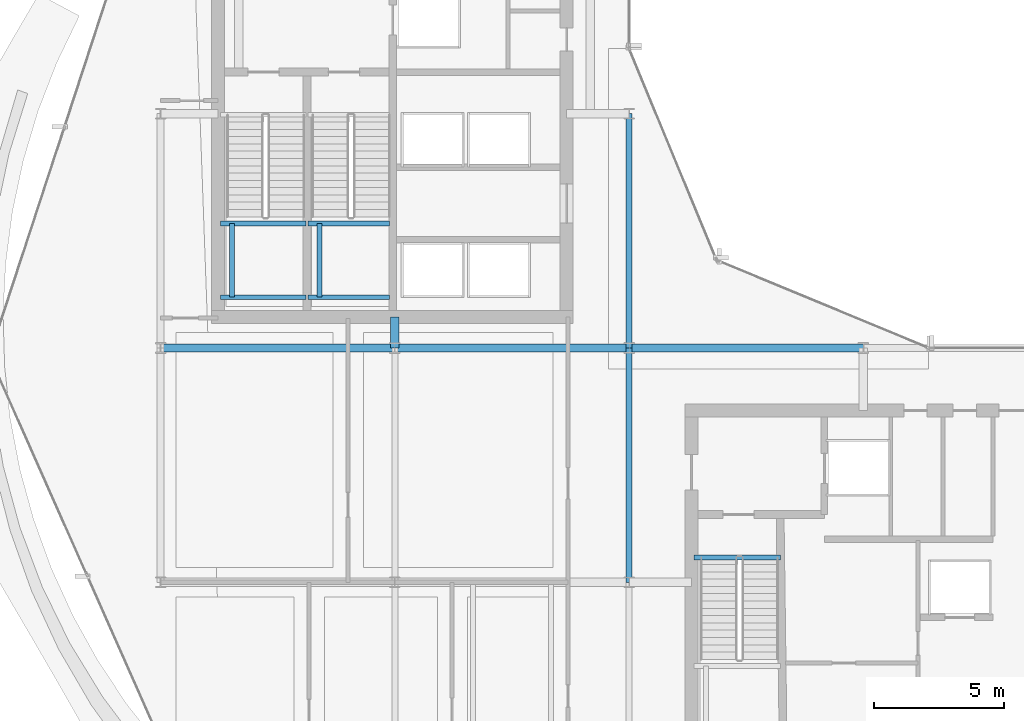
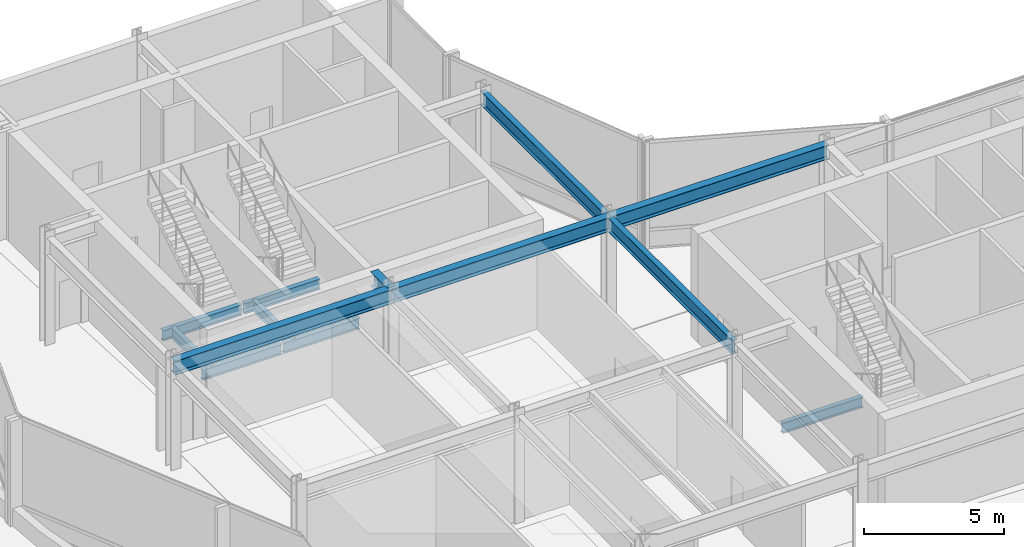
# One storey, part 8 of 29: 13 beams.
"""IFC4 building model written with IfcOpenShell, lengths in metres."""

from ifc_helpers import new_model, si_unit, direction, frame, origin, origin_2d, place, context, subcontext, project, spatial, i_section, extrude, material, material_profile, profile_set, type_object, element, save


model = new_model("IFC4")

# Units and contexts
model_context = context("Model", 3, precision=1e-05, world=origin(), true_north=direction((0.0, 1.0)))
body_context = subcontext(model_context, "Body", "Model", "MODEL_VIEW")
ifc_project = project(units=[si_unit("LENGTHUNIT", "METRE"), si_unit("AREAUNIT", "SQUARE_METRE"), si_unit("VOLUMEUNIT", "CUBIC_METRE"), si_unit("PLANEANGLEUNIT", "RADIAN"), si_unit("MASSUNIT", "GRAM", prefix="KILO")], contexts=[model_context])

# Site, building, storey
site_placement = place(None, origin())
site = spatial("IfcSite", under=ifc_project, at=site_placement, CompositionType="ELEMENT")
building_placement = place(site_placement, origin())
building = spatial("IfcBuilding", under=site, at=building_placement, Name="Solvaryn Broadcast Tower", CompositionType="ELEMENT")
storey_placement = place(building_placement, frame((0.0, 0.0, 169.199951171875)))
storey = spatial("IfcBuildingStorey", under=building, at=storey_placement, Name="L42", CompositionType="ELEMENT", Elevation=169.199951171875)

# Beams
ifc_material_1 = material(Name="Steel ASTM A992 Grade 50", Category="steel")
ifc_material_profile_1 = material_profile(ifc_material_1, i_section(OverallWidth=0.323974609375, OverallDepth=0.611083984375, WebThickness=0.0126953125, FlangeThickness=0.01904296875, FilletRadius=0.014892578125, at=origin_2d()))
ifc_profile_set_1 = profile_set([ifc_material_profile_1], Name="Steel ASTM A992 Grade 50")
beam_type_1 = type_object("IfcBeamType", Name="BM-B1-W24X104", PredefinedType="BEAM", material=ifc_profile_set_1)
for number, where, z_axis, x_axis, name in (
    (1, (9.0, 27.0, 4.41455078125), (1.0, 0.0, 0.0), (0.0, 1.0, 0.0), "L42 Primary Beam X (9-18 @ Y=27)"),
    (2, (18.0, 27.0, 4.41455078125), (1.0, 0.0, 0.0), (0.0, 1.0, 0.0), "L42 Primary Beam X (18-27 @ Y=27)"),
    (3, (27.0, 27.0, 4.41455078125), (1.0, 0.0, 0.0), (0.0, 1.0, 0.0), "L42 Primary Beam X (27-36 @ Y=27)"),
):
    element("IfcBeam", number, at=place(storey_placement, frame(where, z_axis=z_axis, x_axis=x_axis)), inside=storey, type_object=beam_type_1, Name=name, PredefinedType="BEAM", context=body_context, shape_type="SweptSolid", body=[
        extrude(i_section(OverallWidth=0.323974609375, OverallDepth=0.611083984375, WebThickness=0.0126953125, FlangeThickness=0.01904296875, FilletRadius=0.014892578125, at=origin_2d()), origin(), (0.0, 0.0, 1.0), 9.0),
    ])
beam_1_placement = place(storey_placement, frame((18.0, 27.0, 4.41455078125), z_axis=(0.0, 1.0, 0.0), x_axis=(-1.0, 0.0, 0.0)))
element("IfcBeam", 4, at=beam_1_placement, inside=storey, type_object=beam_type_1, Name="L42 Core Tie Beam CTW4", PredefinedType="BEAM", context=body_context, shape_type="SweptSolid", body=[
    extrude(i_section(OverallWidth=0.323974609375, OverallDepth=0.611083984375, WebThickness=0.0126953125, FlangeThickness=0.01904296875, FilletRadius=0.014892578125, at=origin_2d()), origin(), (0.0, 0.0, 1.0), 1.199951171875),
])
ifc_material_2 = material(Name="Steel ASTM A992 Grade 50", Category="steel")
ifc_material_profile_2 = material_profile(ifc_material_2, i_section(OverallWidth=0.22802734375, OverallDepth=0.60791015625, WebThickness=0.01123046875, FlangeThickness=0.017333984375, FilletRadius=0.014892578125, at=origin_2d()))
ifc_profile_set_2 = profile_set([ifc_material_profile_2], Name="Steel ASTM A992 Grade 50")
beam_type_2 = type_object("IfcBeamType", Name="BM-B2-W24X76", PredefinedType="BEAM", material=ifc_profile_set_2)
for number, where, z_axis, x_axis, name in (
    (5, (27.0, 18.0, 4.416015625), (0.0, 1.0, 0.0), (-1.0, 0.0, 0.0), "L42 Primary Beam Y (18-27 @ X=27)"),
    (6, (27.0, 27.0, 4.416015625), (0.0, 1.0, 0.0), (-1.0, 0.0, 0.0), "L42 Primary Beam Y (27-36 @ X=27)"),
):
    element("IfcBeam", number, at=place(storey_placement, frame(where, z_axis=z_axis, x_axis=x_axis)), inside=storey, type_object=beam_type_2, Name=name, PredefinedType="BEAM", context=body_context, shape_type="SweptSolid", body=[
        extrude(i_section(OverallWidth=0.22802734375, OverallDepth=0.60791015625, WebThickness=0.01123046875, FlangeThickness=0.017333984375, FilletRadius=0.014892578125, at=origin_2d()), origin(), (0.0, 0.0, 1.0), 9.0),
    ])
ifc_material_3 = material(Name="Steel ASTM A992 Grade 50", Category="steel")
ifc_material_profile_3 = material_profile(ifc_material_3, i_section(OverallWidth=0.18994140625, OverallDepth=0.45703125, WebThickness=0.009033203125, FlangeThickness=0.014404296875, FilletRadius=0.011962890625, at=origin_2d()))
ifc_profile_set_3 = profile_set([ifc_material_profile_3], Name="Steel ASTM A992 Grade 50")
beam_type_3 = type_object("IfcBeamType", Name="BM-B4-W18X50", PredefinedType="BEAM", material=ifc_profile_set_3)
for number, where, z_axis, x_axis, name in (
    (7, (11.300048828125, 28.949951171875, 2.071533203125), (1.0, 0.0, 0.0), (0.0, 1.0, 0.0), "L42 ST1 Landing Support Beam 1A"),
    (8, (11.300048828125, 31.7900390625, 2.071533203125), (1.0, 0.0, 0.0), (0.0, 1.0, 0.0), "L42 ST1 Landing Support Beam 1B"),
):
    element("IfcBeam", number, at=place(storey_placement, frame(where, z_axis=z_axis, x_axis=x_axis)), inside=storey, type_object=beam_type_3, Name=name, PredefinedType="BEAM", context=body_context, shape_type="SweptSolid", body=[
        extrude(i_section(OverallWidth=0.18994140625, OverallDepth=0.45703125, WebThickness=0.009033203125, FlangeThickness=0.014404296875, FilletRadius=0.011962890625, at=origin_2d()), origin(), (0.0, 0.0, 1.0), 3.280029296875),
    ])
beam_2_placement = place(storey_placement, frame((11.75, 28.949951171875, 2.071533203125), z_axis=(0.0, 1.0, 0.0), x_axis=(-1.0, 0.0, 0.0)))
element("IfcBeam", 9, at=beam_2_placement, inside=storey, type_object=beam_type_3, Name="L42 ST1 Landing Cross Stringer 1C", PredefinedType="BEAM", context=body_context, shape_type="SweptSolid", body=[
    extrude(i_section(OverallWidth=0.18994140625, OverallDepth=0.45703125, WebThickness=0.009033203125, FlangeThickness=0.014404296875, FilletRadius=0.011962890625, at=origin_2d()), origin(), (0.0, 0.0, 1.0), 2.840087890625),
])
for number, where, z_axis, x_axis, name in (
    (10, (14.659912109375, 28.949951171875, 2.071533203125), (1.0, 0.0, 0.0), (0.0, 1.0, 0.0), "L42 ST2 Landing Support Beam 1A"),
    (11, (14.659912109375, 31.7900390625, 2.071533203125), (1.0, 0.0, 0.0), (0.0, 1.0, 0.0), "L42 ST2 Landing Support Beam 1B"),
):
    element("IfcBeam", number, at=place(storey_placement, frame(where, z_axis=z_axis, x_axis=x_axis)), inside=storey, type_object=beam_type_3, Name=name, PredefinedType="BEAM", context=body_context, shape_type="SweptSolid", body=[
        extrude(i_section(OverallWidth=0.18994140625, OverallDepth=0.45703125, WebThickness=0.009033203125, FlangeThickness=0.014404296875, FilletRadius=0.011962890625, at=origin_2d()), origin(), (0.0, 0.0, 1.0), 3.14013671875),
    ])
beam_3_placement = place(storey_placement, frame((15.110107421875, 28.949951171875, 2.071533203125), z_axis=(0.0, 1.0, 0.0), x_axis=(-1.0, 0.0, 0.0)))
element("IfcBeam", 12, at=beam_3_placement, inside=storey, type_object=beam_type_3, Name="L42 ST2 Landing Cross Stringer 1C", PredefinedType="BEAM", context=body_context, shape_type="SweptSolid", body=[
    extrude(i_section(OverallWidth=0.18994140625, OverallDepth=0.45703125, WebThickness=0.009033203125, FlangeThickness=0.014404296875, FilletRadius=0.011962890625, at=origin_2d()), origin(), (0.0, 0.0, 1.0), 2.840087890625),
])
beam_4_placement = place(storey_placement, frame((29.5, 18.9599609375, -0.558349609375), z_axis=(1.0, 0.0, 0.0), x_axis=(0.0, 1.0, 0.0)))
element("IfcBeam", 13, at=beam_4_placement, inside=storey, type_object=beam_type_3, Name="L42 ST3 Stair Well Trimmer Beam", PredefinedType="BEAM", context=body_context, shape_type="SweptSolid", body=[
    extrude(i_section(OverallWidth=0.18994140625, OverallDepth=0.45703125, WebThickness=0.009033203125, FlangeThickness=0.014404296875, FilletRadius=0.011962890625, at=origin_2d()), origin(), (0.0, 0.0, 1.0), 3.320068359375),
])

save(model, "model.ifc")
